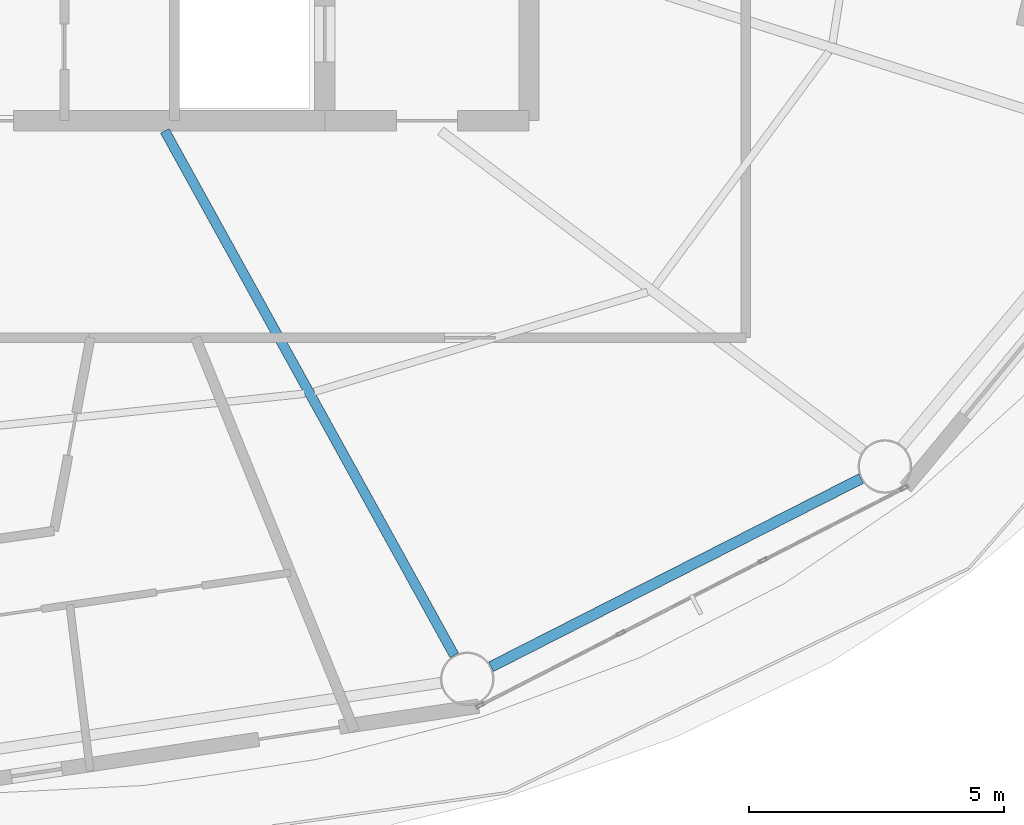
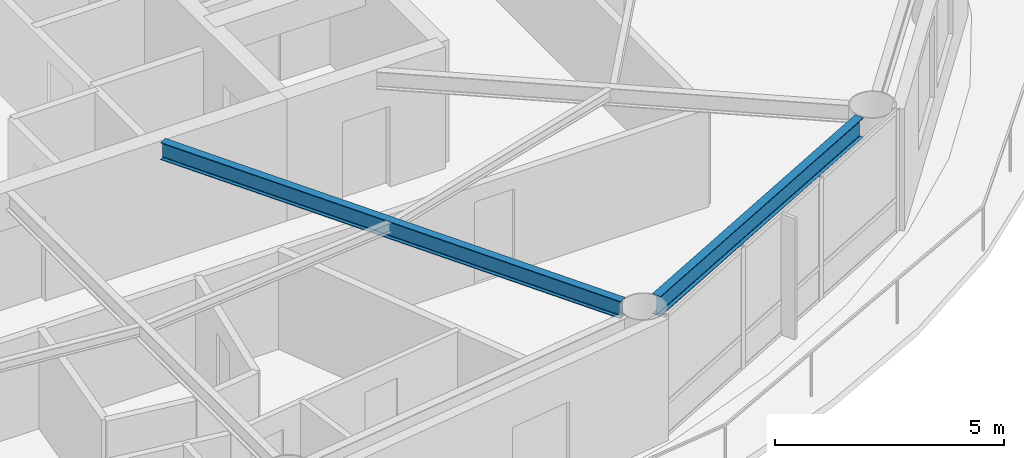
# One storey, part 6 of 24: 2 beams.
"""IFC4 building model written with IfcOpenShell, lengths in metres."""

import ifcopenshell
import ifcopenshell.guid

model = None  # the IFC model being written
_history = None  # IfcOwnerHistory: only IFC2X3 demands one
_inside = {}  # id of a spatial element -> (the spatial element, [elements in it])
_under = {}  # id of a project, library or spatial element -> (it, [spatial elements below it])
_declared = {}  # id of a project -> (the project, [libraries it declares])
_typed = {}  # id of a type object -> (the type object, [elements of that type])
_made_of = {}  # id of a material, layer set ... -> (it, [elements and type objects made of it])


def new_model(schema):
    """Start an empty IFC model of exactly this schema.

    Asked for "IFC4X3", IfcOpenShell would pick the latest addendum, in which some entities
    have other attributes; the version numbers below select the first issue.
    IFC2X3 requires an IfcOwnerHistory on every rooted entity: one is made here for all.
    """
    global model, _history
    if schema == "IFC4X3":
        model = ifcopenshell.file(schema_version=(4, 3, 0, 0))
    else:
        model = ifcopenshell.file(schema=schema)
    _inside.clear()
    _under.clear()
    _declared.clear()
    _typed.clear()
    _made_of.clear()
    _history = None
    if model.schema == "IFC2X3":
        org = make("IfcOrganization", Name="unknown")
        user = make(
            "IfcPersonAndOrganization",
            ThePerson=make("IfcPerson", FamilyName="unknown"),
            TheOrganization=org,
        )
        app = make(
            "IfcApplication",
            ApplicationDeveloper=org,
            Version="unknown",
            ApplicationFullName="unknown",
            ApplicationIdentifier="unknown",
        )
        _history = make(
            "IfcOwnerHistory",
            OwningUser=user,
            OwningApplication=app,
            ChangeAction="ADDED",
            CreationDate=0,
        )
    return model


def make(cls, **values):
    """One entity of the class cls with the attributes given. An attribute that is None is left unset."""
    return model.create_entity(
        cls, **{name: value for name, value in values.items() if value is not None}
    )


def rooted(cls, **values):
    """An entity with a GlobalId (a new one), such as an element, a storey or a relation."""
    return make(cls, GlobalId=ifcopenshell.guid.new(), OwnerHistory=_history, **values)


def si_unit(unit_type, name, prefix=None):
    """IfcSIUnit, for example si_unit("LENGTHUNIT", "METRE", prefix="MILLI")."""
    return make("IfcSIUnit", UnitType=unit_type, Prefix=prefix, Name=name)


def assignment(units):
    """IfcUnitAssignment: the units of a project."""
    return None if units is None else make("IfcUnitAssignment", Units=units)


def point(xyz):
    """IfcCartesianPoint."""
    return None if xyz is None else make("IfcCartesianPoint", Coordinates=xyz)


def direction(xyz):
    """IfcDirection."""
    return None if xyz is None else make("IfcDirection", DirectionRatios=xyz)


def frame(location, z_axis=None, x_axis=None):
    """IfcAxis2Placement3D, a coordinate frame: its origin and axes. An axis left out is left unset."""
    return make(
        "IfcAxis2Placement3D",
        Location=point(location),
        Axis=direction(z_axis),
        RefDirection=direction(x_axis),
    )


def frame_2d(location, x_axis=None):
    """IfcAxis2Placement2D, a coordinate frame in the plane: its origin and x axis."""
    return make(
        "IfcAxis2Placement2D", Location=point(location), RefDirection=direction(x_axis)
    )


def origin():
    """The frame at (0, 0, 0) with its axes left unset."""
    return frame((0.0, 0.0, 0.0))


def origin_2d():
    """The frame at (0, 0) in the plane with its x axis left unset."""
    return frame_2d((0.0, 0.0))


def place(relative_to, where):
    """IfcLocalPlacement: puts the frame where relative to a parent placement (None: the world)."""
    return make(
        "IfcLocalPlacement", PlacementRelTo=relative_to, RelativePlacement=where
    )


def context(
    kind, dimensions, precision=None, world=None, true_north=None, identifier=None
):
    """IfcGeometricRepresentationContext, for example the 3D "Model" context."""
    return make(
        "IfcGeometricRepresentationContext",
        ContextIdentifier=identifier,
        ContextType=kind,
        CoordinateSpaceDimension=dimensions,
        Precision=precision,
        WorldCoordinateSystem=world,
        TrueNorth=true_north,
    )


def subcontext(parent, identifier, kind, view, scale=None):
    """IfcGeometricRepresentationSubContext, for example "Body" below "Model"."""
    return make(
        "IfcGeometricRepresentationSubContext",
        ContextIdentifier=identifier,
        ContextType=kind,
        ParentContext=parent,
        TargetScale=scale,
        TargetView=view,
    )


def project(units=None, contexts=None):
    """IfcProject with its units and contexts."""
    return rooted(
        "IfcProject",
        Name="project",
        RepresentationContexts=contexts,
        UnitsInContext=assignment(units),
    )


def spatial(cls, under=None, at=None, **own):
    """A site, building, storey or space (cls), placed at a placement, below another one or the project."""
    s = rooted(cls, ObjectPlacement=at, **own)
    if under is not None:
        _under.setdefault(under.id(), (under, []))[1].append(s)
    return s


def profile(cls, at=None, kind="AREA", **sizes):
    """A parametric profile (cls). Its sizes go by their IFC names, for example OverallWidth=200.0."""
    return make(cls, ProfileType=kind, Position=at, **sizes)


def i_section(**sizes):
    """IfcIShapeProfileDef."""
    return profile("IfcIShapeProfileDef", **sizes)


def extrude(swept, where, along, depth):
    """IfcExtrudedAreaSolid: the profile swept, set in the frame where, extruded along a direction by depth."""
    return make(
        "IfcExtrudedAreaSolid",
        SweptArea=swept,
        Position=where,
        ExtrudedDirection=direction(along),
        Depth=depth,
    )


def shape(context_of_items, identifier, shape_type, items):
    """IfcShapeRepresentation: the items that make up one representation, for example the "Body"."""
    return make(
        "IfcShapeRepresentation",
        ContextOfItems=context_of_items,
        RepresentationIdentifier=identifier,
        RepresentationType=shape_type,
        Items=items,
    )


def material(Name=None, Category=None):
    """IfcMaterial."""
    return make("IfcMaterial", Name=Name, Category=Category)


def material_profile(
    of_material, cross_section, Name=None, Category=None, Priority=None
):
    """IfcMaterialProfile: a cross section and its material."""
    return make(
        "IfcMaterialProfile",
        Name=Name,
        Material=of_material,
        Profile=cross_section,
        Priority=Priority,
        Category=Category,
    )


def profile_set(profiles, Name=None, composite=None):
    """IfcMaterialProfileSet."""
    return make(
        "IfcMaterialProfileSet",
        Name=Name,
        MaterialProfiles=profiles,
        CompositeProfile=composite,
    )


def made_of(thing, what):
    """Note that an element or type object is made of a material, layer set ...; save() writes the relation."""
    if what is not None:
        _made_of.setdefault(what.id(), (what, []))[1].append(thing)
    return thing


def type_object(cls, material=None, **own):
    """A type object (cls), such as IfcWallType, which elements share."""
    return made_of(rooted(cls, **own), material)


def element(
    cls,
    number,
    at=None,
    inside=None,
    cuts=None,
    type_object=None,
    material=None,
    context=None,
    identifier="Body",
    shape_type=None,
    held_by="IfcProductDefinitionShape",
    body=None,
    shapes=None,
    **own,
):
    """One element of the class cls, such as IfcWall. Its Tag is "e" and its number.

    at: its placement. inside: the storey or other place that contains it. cuts: it is an
    opening in that element (IfcRelVoidsElement). A single representation is given by context,
    identifier, shape_type and body (its items); several are given by shapes. held_by: the class
    of the entity that holds the representations. save() writes the other relations.
    """
    e = rooted(cls, Tag="e%d" % number, ObjectPlacement=at, **own)
    if body is not None:
        shapes = [shape(context, identifier, shape_type, body)]
    if shapes is not None:
        e.Representation = make(held_by, Representations=shapes)
    if inside is not None:
        _inside.setdefault(inside.id(), (inside, []))[1].append(e)
    if cuts is not None:
        rooted(
            "IfcRelVoidsElement", RelatingBuildingElement=cuts, RelatedOpeningElement=e
        )
    if type_object is not None:
        _typed.setdefault(type_object.id(), (type_object, []))[1].append(e)
    return made_of(e, material)


def aggregate(whole, parts):
    """IfcRelAggregates: a whole, such as a stair, and the parts it consists of."""
    return rooted("IfcRelAggregates", RelatingObject=whole, RelatedObjects=parts)


def save(model, path):
    """Write the relations noted so far, then the file.

    IfcRelAggregates (storeys below a building ...), IfcRelContainedInSpatialStructure (elements
    in a storey), IfcRelDefinesByType, IfcRelAssociatesMaterial and IfcRelDeclares: one each for
    every whole, place, type object, material and project.
    """
    for whole, parts in _under.values():
        aggregate(whole, parts)
    for where, things in _inside.values():
        rooted(
            "IfcRelContainedInSpatialStructure",
            RelatedElements=things,
            RelatingStructure=where,
        )
    for kind, things in _typed.values():
        rooted("IfcRelDefinesByType", RelatedObjects=things, RelatingType=kind)
    for what, things in _made_of.values():
        rooted("IfcRelAssociatesMaterial", RelatedObjects=things, RelatingMaterial=what)
    for by, libraries in _declared.values():
        rooted("IfcRelDeclares", RelatingContext=by, RelatedDefinitions=libraries)
    model.write(path)


model = new_model("IFC4")

# Units and contexts
model_context = context("Model", 3, precision=1e-05, world=origin(), true_north=direction((0.0, 1.0)))
body_context = subcontext(model_context, "Body", "Model", "MODEL_VIEW")
ifc_project = project(units=[si_unit("LENGTHUNIT", "METRE"), si_unit("AREAUNIT", "SQUARE_METRE"), si_unit("VOLUMEUNIT", "CUBIC_METRE"), si_unit("PLANEANGLEUNIT", "RADIAN"), si_unit("MASSUNIT", "GRAM", prefix="KILO")], contexts=[model_context])

# Site, building, storey
site_placement = place(None, origin())
site = spatial("IfcSite", under=ifc_project, at=site_placement, CompositionType="ELEMENT")
building_placement = place(site_placement, origin())
building = spatial("IfcBuilding", under=site, at=building_placement, Name="Sarneth Arch Tower", CompositionType="ELEMENT")
storey_placement = place(building_placement, frame((0.0, 0.0, 253.199951171875)))
storey = spatial("IfcBuildingStorey", under=building, at=storey_placement, Name="L65", CompositionType="ELEMENT", Elevation=253.199951171875)

# Beams
ifc_material_1 = material(Name="Steel S355", Category="steel")
ifc_material_profile_1 = material_profile(ifc_material_1, i_section(OverallWidth=0.19189453125, OverallDepth=0.462890625, WebThickness=0.010498046875, FlangeThickness=0.017578125, FilletRadius=0.01806640625, at=origin_2d()), Name="W460x89")
ifc_profile_set_1 = profile_set([ifc_material_profile_1], Name="Steel S355")
beam_type_1 = type_object("IfcBeamType", Name="BM-RAD-460B", PredefinedType="BEAM", material=ifc_profile_set_1)
beam_1_placement = place(storey_placement, frame((51.86376953125, 35.0, 3.0185546875), z_axis=(0.483225760768, -0.875495781903, 0.0), x_axis=(0.875495781903, 0.483225760768, 0.0)))
element("IfcBeam", 1, at=beam_1_placement, inside=storey, type_object=beam_type_1, Name="L65 Radial floor girder 14", PredefinedType="BEAM", context=body_context, shape_type="SweptSolid", body=[
    extrude(i_section(OverallWidth=0.19189453125, OverallDepth=0.462890625, WebThickness=0.010498046875, FlangeThickness=0.017578125, FilletRadius=0.01806640625, at=origin_2d()), origin(), (0.0, 0.0, 1.0), 11.740478515625),
])
ifc_material_2 = material(Name="Steel S355", Category="steel")
ifc_material_profile_2 = material_profile(ifc_material_2, i_section(OverallWidth=0.2109375, OverallDepth=0.5390625, WebThickness=0.01171875, FlangeThickness=0.018798828125, FilletRadius=0.01806640625, at=origin_2d()), Name="W530x109")
ifc_profile_set_2 = profile_set([ifc_material_profile_2], Name="Steel S355")
beam_type_2 = type_object("IfcBeamType", Name="BM-RAD-530B", PredefinedType="BEAM", material=ifc_profile_set_2)
beam_2_placement = place(storey_placement, frame((58.2587890625, 24.49951171875, 2.98046875), z_axis=(0.891368271482, 0.453279830342, 0.0), x_axis=(-0.453279830342, 0.891368271482, 0.0)))
element("IfcBeam", 2, at=beam_2_placement, inside=storey, type_object=beam_type_2, Name="L65 Perimeter spandrel beam 14", PredefinedType="BEAM", context=body_context, shape_type="SweptSolid", body=[
    extrude(i_section(OverallWidth=0.2109375, OverallDepth=0.5390625, WebThickness=0.01171875, FlangeThickness=0.018798828125, FilletRadius=0.01806640625, at=origin_2d()), origin(), (0.0, 0.0, 1.0), 8.1318359375),
])

save(model, "model.ifc")
